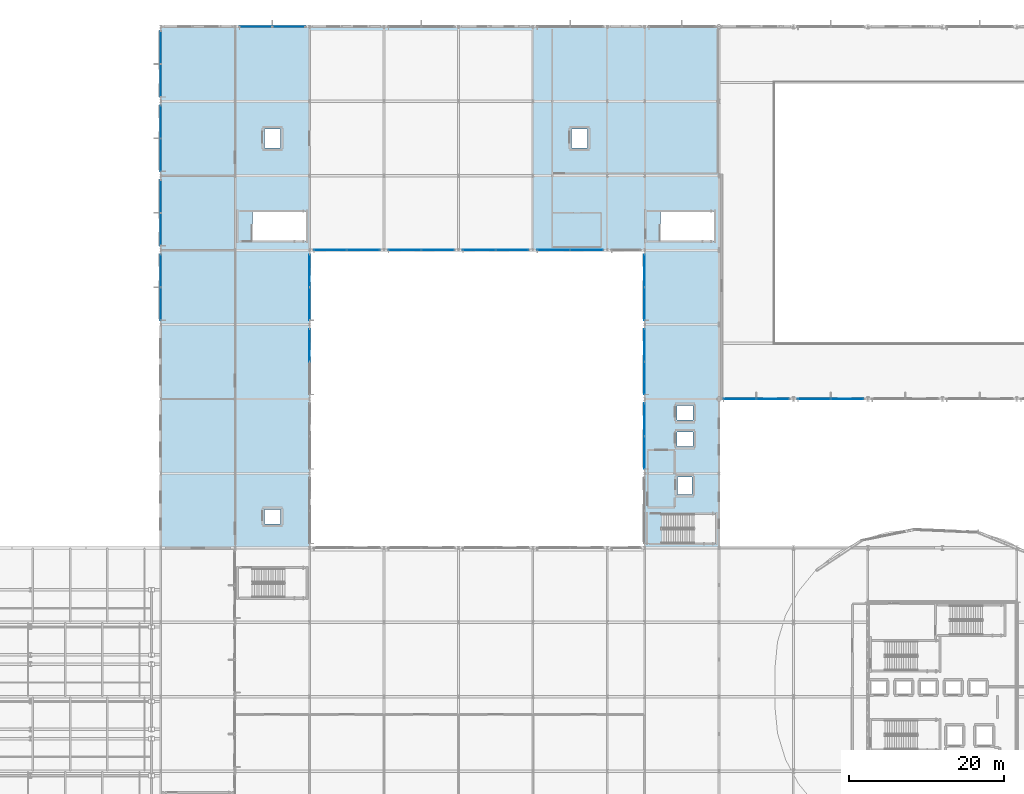
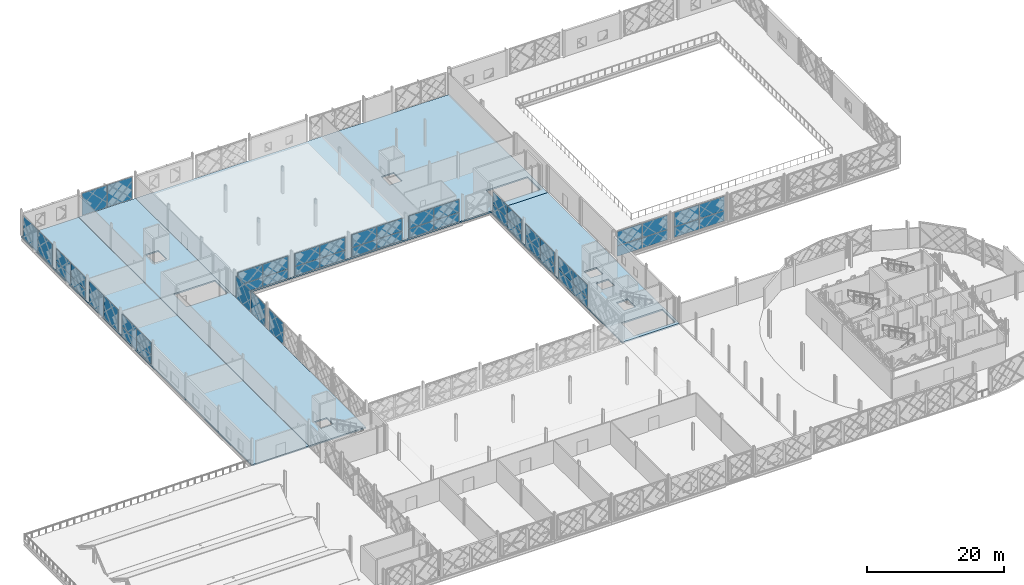
# One storey, part 42 of 77: 53 plates, 4 slabs, 16 elements without a shape of their own.
"""IFC4 building model written with IfcOpenShell, lengths in metres."""

from ifc_helpers import new_model, si_unit, direction, frame, origin, origin_2d, place, context, subcontext, project, spatial, polyline, rectangle, outline, extrude, material, layer, layer_set, type_object, element, aggregate, save


model = new_model("IFC4")

# Units and contexts
model_context = context("Model", 3, precision=1e-05, world=origin(), true_north=direction((0.0, 1.0)))
body_context = subcontext(model_context, "Body", "Model", "MODEL_VIEW")
ifc_project = project(units=[si_unit("LENGTHUNIT", "METRE"), si_unit("AREAUNIT", "SQUARE_METRE"), si_unit("VOLUMEUNIT", "CUBIC_METRE"), si_unit("PLANEANGLEUNIT", "RADIAN"), si_unit("MASSUNIT", "GRAM", prefix="KILO")], contexts=[model_context])

# Site, building, storey
site_placement = place(None, origin())
site = spatial("IfcSite", under=ifc_project, at=site_placement, CompositionType="ELEMENT")
building_placement = place(site_placement, origin())
building = spatial("IfcBuilding", under=site, at=building_placement, Name="Zevrakil Square Congress Hotel", CompositionType="ELEMENT")
storey_placement = place(building_placement, frame((0.0, 0.0, 9.89990234375)))
storey = spatial("IfcBuildingStorey", under=building, at=storey_placement, Name="L03", CompositionType="ELEMENT", Elevation=9.89990234375)

# Curtain wall, plates
ifc_material_1 = material(Name="Aluminium Anodised Bronze", Category="aluminium")
ifc_layer_1 = layer(ifc_material_1, 0.179931640625)
ifc_layer_set_1 = layer_set([ifc_layer_1], Name="Aluminium Anodised Bronze")
curtain_wall_type = type_object("IfcCurtainWallType", Name="CW-L03-840", PredefinedType="USERDEFINED", material=ifc_layer_set_1)
curtain_wall_1_placement = place(storey_placement, origin())
curtain_wall_1 = element("IfcCurtainWall", 1, at=curtain_wall_1_placement, inside=storey, type_object=curtain_wall_type, Name="L03 diamond curtain wall CW-L03-0028", ObjectType="GLAZED CURTAIN WALL", PredefinedType="USERDEFINED")
ifc_material_2 = material(Name="Low-E Solar Control Double Glazing", Category="glass")
ifc_layer_2 = layer(ifc_material_2, 0.028076171875)
ifc_layer_set_2 = layer_set([ifc_layer_2], Name="Low-E Solar Control Double Glazing")
plate_type_1 = type_object("IfcPlateType", Name="CWP-GLAZ-28", PredefinedType="CURTAIN_PANEL", material=ifc_layer_set_2)
plate_1_placement = place(storey_placement, frame((45.60009765625, 77.074951171875, 1.720703125), z_axis=(0.0, 0.0, 1.0), x_axis=(0.0, 1.0, 0.0)))
plate_1 = element("IfcPlate", 2, at=plate_1_placement, type_object=plate_type_1, Name="CW-35 panel 1.2", PredefinedType="CURTAIN_PANEL", context=body_context, shape_type="SweptSolid", body=[
    extrude(rectangle(XDim=4.18994140625, YDim=0.028076171875, at=origin_2d()), origin(), (0.0, 0.0, 1.0), 2.244384765625),
])
plate_2_placement = place(storey_placement, frame((45.60009765625, 81.324951171875, 1.720703125), z_axis=(0.0, 0.0, 1.0), x_axis=(0.0, 1.0, 0.0)))
plate_2 = element("IfcPlate", 3, at=plate_2_placement, type_object=plate_type_1, Name="CW-35 panel 2.2", PredefinedType="CURTAIN_PANEL", context=body_context, shape_type="SweptSolid", body=[
    extrude(rectangle(XDim=4.18994140625, YDim=0.028076171875, at=origin_2d()), origin(), (0.0, 0.0, 1.0), 2.244384765625),
])

# Curtain wall, plate
curtain_wall_2_placement = place(storey_placement, origin())
curtain_wall_2 = element("IfcCurtainWall", 4, at=curtain_wall_2_placement, inside=storey, type_object=curtain_wall_type, Name="L03 diamond curtain wall CW-L03-0029", ObjectType="GLAZED CURTAIN WALL", PredefinedType="USERDEFINED")
plate_3_placement = place(storey_placement, frame((45.60009765625, 86.675048828125, 0.06005859375), z_axis=(0.0, 0.0, 1.0), x_axis=(0.0, 1.0, 0.0)))
plate_3 = element("IfcPlate", 5, at=plate_3_placement, type_object=plate_type_1, Name="CW-35 panel 1.1", PredefinedType="CURTAIN_PANEL", context=body_context, shape_type="SweptSolid", body=[
    extrude(rectangle(XDim=4.18994140625, YDim=0.028076171875, at=origin_2d()), origin(), (0.0, 0.0, 1.0), 3.905029296875),
])

curtain_wall_3_placement = place(storey_placement, origin())
curtain_wall_3 = element("IfcCurtainWall", 6, at=curtain_wall_3_placement, inside=storey, type_object=curtain_wall_type, Name="L03 diamond curtain wall CW-L03-0030", ObjectType="GLAZED CURTAIN WALL", PredefinedType="USERDEFINED")
plate_4_placement = place(storey_placement, frame((45.60009765625, 96.27490234375, 1.720703125), z_axis=(0.0, 0.0, 1.0), x_axis=(0.0, 1.0, 0.0)))
plate_4 = element("IfcPlate", 7, at=plate_4_placement, type_object=plate_type_1, Name="CW-35 panel 1.2", PredefinedType="CURTAIN_PANEL", context=body_context, shape_type="SweptSolid", body=[
    extrude(rectangle(XDim=4.18994140625, YDim=0.028076171875, at=origin_2d()), origin(), (0.0, 0.0, 1.0), 2.244384765625),
])

curtain_wall_4_placement = place(storey_placement, origin())
curtain_wall_4 = element("IfcCurtainWall", 8, at=curtain_wall_4_placement, inside=storey, type_object=curtain_wall_type, Name="L03 diamond curtain wall CW-L03-0031", ObjectType="GLAZED CURTAIN WALL", PredefinedType="USERDEFINED")
plate_5_placement = place(storey_placement, frame((45.60009765625, 105.875, 0.06005859375), z_axis=(0.0, 0.0, 1.0), x_axis=(0.0, 1.0, 0.0)))
plate_5 = element("IfcPlate", 9, at=plate_5_placement, type_object=plate_type_1, Name="CW-35 panel 1.1", PredefinedType="CURTAIN_PANEL", context=body_context, shape_type="SweptSolid", body=[
    extrude(rectangle(XDim=4.18994140625, YDim=0.028076171875, at=origin_2d()), origin(), (0.0, 0.0, 1.0), 3.905029296875),
])

# Curtain wall, plates
curtain_wall_5_placement = place(storey_placement, origin())
curtain_wall_5 = element("IfcCurtainWall", 10, at=curtain_wall_5_placement, inside=storey, type_object=curtain_wall_type, Name="L03 diamond curtain wall CW-L03-0058", ObjectType="GLAZED CURTAIN WALL", PredefinedType="USERDEFINED")
plate_6_placement = place(storey_placement, frame((120.27490234375, 64.800048828125, 1.93701171875), z_axis=(0.0, 0.0, 1.0), x_axis=(1.0, 0.0, 0.0)))
plate_6 = element("IfcPlate", 11, at=plate_6_placement, type_object=plate_type_1, Name="CW-35 panel 1.2", PredefinedType="CURTAIN_PANEL", context=body_context, shape_type="SweptSolid", body=[
    extrude(rectangle(XDim=4.18994140625, YDim=0.028076171875, at=origin_2d()), origin(), (0.0, 0.0, 1.0), 2.543212890625),
])
plate_7_placement = place(storey_placement, frame((124.52490234375, 64.800048828125, 1.93701171875), z_axis=(0.0, 0.0, 1.0), x_axis=(1.0, 0.0, 0.0)))
plate_7 = element("IfcPlate", 12, at=plate_7_placement, type_object=plate_type_1, Name="CW-35 panel 2.2", PredefinedType="CURTAIN_PANEL", context=body_context, shape_type="SweptSolid", body=[
    extrude(rectangle(XDim=4.18994140625, YDim=0.028076171875, at=origin_2d()), origin(), (0.0, 0.0, 1.0), 2.543212890625),
])

# Curtain wall, plate
curtain_wall_6_placement = place(storey_placement, origin())
curtain_wall_6 = element("IfcCurtainWall", 13, at=curtain_wall_6_placement, inside=storey, type_object=curtain_wall_type, Name="L03 diamond curtain wall CW-L03-0060", ObjectType="GLAZED CURTAIN WALL", PredefinedType="USERDEFINED")
plate_8_placement = place(storey_placement, frame((129.875, 64.800048828125, 1.93701171875), z_axis=(0.0, 0.0, 1.0), x_axis=(1.0, 0.0, 0.0)))
plate_8 = element("IfcPlate", 14, at=plate_8_placement, type_object=plate_type_1, Name="CW-35 panel 1.2", PredefinedType="CURTAIN_PANEL", context=body_context, shape_type="SweptSolid", body=[
    extrude(rectangle(XDim=4.18994140625, YDim=0.028076171875, at=origin_2d()), origin(), (0.0, 0.0, 1.0), 2.543212890625),
])

curtain_wall_7_placement = place(storey_placement, origin())
curtain_wall_7 = element("IfcCurtainWall", 15, at=curtain_wall_7_placement, inside=storey, type_object=curtain_wall_type, Name="L03 diamond curtain wall CW-L03-0102", ObjectType="GLAZED CURTAIN WALL", PredefinedType="USERDEFINED")
plate_9_placement = place(storey_placement, frame((71.72509765625, 84.0, 0.06005859375), z_axis=(0.0, 0.0, 1.0), x_axis=(1.0, 0.0, 0.0)))
plate_9 = element("IfcPlate", 16, at=plate_9_placement, type_object=plate_type_1, Name="CW-35 panel 2.1", PredefinedType="CURTAIN_PANEL", context=body_context, shape_type="SweptSolid", body=[
    extrude(rectangle(XDim=4.18994140625, YDim=0.028076171875, at=origin_2d()), origin(), (0.0, 0.0, 1.0), 1.625732421875),
])

# Curtain wall, plates
curtain_wall_8_placement = place(storey_placement, origin())
curtain_wall_8 = element("IfcCurtainWall", 17, at=curtain_wall_8_placement, inside=storey, type_object=curtain_wall_type, Name="L03 diamond curtain wall CW-L03-0106", ObjectType="GLAZED CURTAIN WALL", PredefinedType="USERDEFINED")
plate_10_placement = place(storey_placement, frame((77.074951171875, 84.0, 0.06005859375), z_axis=(0.0, 0.0, 1.0), x_axis=(1.0, 0.0, 0.0)))
plate_10 = element("IfcPlate", 18, at=plate_10_placement, type_object=plate_type_1, Name="CW-35 panel 1.1", PredefinedType="CURTAIN_PANEL", context=body_context, shape_type="SweptSolid", body=[
    extrude(rectangle(XDim=4.18994140625, YDim=0.028076171875, at=origin_2d()), origin(), (0.0, 0.0, 1.0), 1.625732421875),
])
plate_11_placement = place(storey_placement, frame((81.324951171875, 84.0, 1.745849609375), z_axis=(0.0, 0.0, 1.0), x_axis=(1.0, 0.0, 0.0)))
plate_11 = element("IfcPlate", 19, at=plate_11_placement, type_object=plate_type_1, Name="CW-35 panel 2.2", PredefinedType="CURTAIN_PANEL", context=body_context, shape_type="SweptSolid", body=[
    extrude(rectangle(XDim=4.18994140625, YDim=0.028076171875, at=origin_2d()), origin(), (0.0, 0.0, 1.0), 2.279296875),
])

# Curtain wall, plate
curtain_wall_9_placement = place(storey_placement, origin())
curtain_wall_9 = element("IfcCurtainWall", 20, at=curtain_wall_9_placement, inside=storey, type_object=curtain_wall_type, Name="L03 diamond curtain wall CW-L03-0110", ObjectType="GLAZED CURTAIN WALL", PredefinedType="USERDEFINED")
plate_12_placement = place(storey_placement, frame((86.675048828125, 84.0, 1.745849609375), z_axis=(0.0, 0.0, 1.0), x_axis=(1.0, 0.0, 0.0)))
plate_12 = element("IfcPlate", 21, at=plate_12_placement, type_object=plate_type_1, Name="CW-35 panel 1.2", PredefinedType="CURTAIN_PANEL", context=body_context, shape_type="SweptSolid", body=[
    extrude(rectangle(XDim=4.18994140625, YDim=0.028076171875, at=origin_2d()), origin(), (0.0, 0.0, 1.0), 2.279296875),
])

# Curtain wall, plates
curtain_wall_10_placement = place(storey_placement, origin())
curtain_wall_10 = element("IfcCurtainWall", 22, at=curtain_wall_10_placement, inside=storey, type_object=curtain_wall_type, Name="L03 diamond curtain wall CW-L03-0114", ObjectType="GLAZED CURTAIN WALL", PredefinedType="USERDEFINED")
plate_13_placement = place(storey_placement, frame((96.27490234375, 84.0, 0.06005859375), z_axis=(0.0, 0.0, 1.0), x_axis=(1.0, 0.0, 0.0)))
plate_13 = element("IfcPlate", 23, at=plate_13_placement, type_object=plate_type_1, Name="CW-35 panel 1.1", PredefinedType="CURTAIN_PANEL", context=body_context, shape_type="SweptSolid", body=[
    extrude(rectangle(XDim=4.18994140625, YDim=0.028076171875, at=origin_2d()), origin(), (0.0, 0.0, 1.0), 1.625732421875),
])
plate_14_placement = place(storey_placement, frame((100.52490234375, 84.0, 0.06005859375), z_axis=(0.0, 0.0, 1.0), x_axis=(1.0, 0.0, 0.0)))
plate_14 = element("IfcPlate", 24, at=plate_14_placement, type_object=plate_type_1, Name="CW-35 panel 2.1", PredefinedType="CURTAIN_PANEL", context=body_context, shape_type="SweptSolid", body=[
    extrude(rectangle(XDim=4.18994140625, YDim=0.028076171875, at=origin_2d()), origin(), (0.0, 0.0, 1.0), 1.625732421875),
])

# Curtain wall, plate
curtain_wall_11_placement = place(storey_placement, origin())
curtain_wall_11 = element("IfcCurtainWall", 25, at=curtain_wall_11_placement, inside=storey, type_object=curtain_wall_type, Name="L03 diamond curtain wall CW-L03-0130", ObjectType="GLAZED CURTAIN WALL", PredefinedType="USERDEFINED")
plate_15_placement = place(storey_placement, frame((108.0, 57.875, 1.720703125), z_axis=(0.0, 0.0, 1.0), x_axis=(0.0, 1.0, 0.0)))
plate_15 = element("IfcPlate", 26, at=plate_15_placement, type_object=plate_type_1, Name="CW-35 panel 1.2", PredefinedType="CURTAIN_PANEL", context=body_context, shape_type="SweptSolid", body=[
    extrude(rectangle(XDim=4.18994140625, YDim=0.028076171875, at=origin_2d()), origin(), (0.0, 0.0, 1.0), 2.244384765625),
])

curtain_wall_12_placement = place(storey_placement, origin())
curtain_wall_12 = element("IfcCurtainWall", 27, at=curtain_wall_12_placement, inside=storey, type_object=curtain_wall_type, Name="L03 diamond curtain wall CW-L03-0133", ObjectType="GLAZED CURTAIN WALL", PredefinedType="USERDEFINED")
plate_16_placement = place(storey_placement, frame((64.800048828125, 71.72509765625, 0.06005859375), z_axis=(0.0, 0.0, 1.0), x_axis=(0.0, 1.0, 0.0)))
plate_16 = element("IfcPlate", 28, at=plate_16_placement, type_object=plate_type_1, Name="CW-35 panel 2.1", PredefinedType="CURTAIN_PANEL", context=body_context, shape_type="SweptSolid", body=[
    extrude(rectangle(XDim=4.18994140625, YDim=0.028076171875, at=origin_2d()), origin(), (0.0, 0.0, 1.0), 3.905029296875),
])
aggregate(curtain_wall_12, [plate_16])

# Curtain wall, plates
curtain_wall_13_placement = place(storey_placement, origin())
curtain_wall_13 = element("IfcCurtainWall", 29, at=curtain_wall_13_placement, inside=storey, type_object=curtain_wall_type, Name="L03 diamond curtain wall CW-L03-0136", ObjectType="GLAZED CURTAIN WALL", PredefinedType="USERDEFINED")
plate_17_placement = place(storey_placement, frame((108.0, 67.47509765625, 0.06005859375), z_axis=(0.0, 0.0, 1.0), x_axis=(0.0, 1.0, 0.0)))
plate_17 = element("IfcPlate", 30, at=plate_17_placement, type_object=plate_type_1, Name="CW-35 panel 1.1", PredefinedType="CURTAIN_PANEL", context=body_context, shape_type="SweptSolid", body=[
    extrude(rectangle(XDim=4.18994140625, YDim=0.028076171875, at=origin_2d()), origin(), (0.0, 0.0, 1.0), 1.6005859375),
])
plate_18_placement = place(storey_placement, frame((108.0, 71.72509765625, 1.720703125), z_axis=(0.0, 0.0, 1.0), x_axis=(0.0, 1.0, 0.0)))
plate_18 = element("IfcPlate", 31, at=plate_18_placement, type_object=plate_type_1, Name="CW-35 panel 2.2", PredefinedType="CURTAIN_PANEL", context=body_context, shape_type="SweptSolid", body=[
    extrude(rectangle(XDim=4.18994140625, YDim=0.028076171875, at=origin_2d()), origin(), (0.0, 0.0, 1.0), 2.244384765625),
])

# Curtain wall, plate
curtain_wall_14_placement = place(storey_placement, origin())
curtain_wall_14 = element("IfcCurtainWall", 32, at=curtain_wall_14_placement, inside=storey, type_object=curtain_wall_type, Name="L03 diamond curtain wall CW-L03-0139", ObjectType="GLAZED CURTAIN WALL", PredefinedType="USERDEFINED")
plate_19_placement = place(storey_placement, frame((64.800048828125, 77.074951171875, 0.06005859375), z_axis=(0.0, 0.0, 1.0), x_axis=(0.0, 1.0, 0.0)))
plate_19 = element("IfcPlate", 33, at=plate_19_placement, type_object=plate_type_1, Name="CW-35 panel 1.1", PredefinedType="CURTAIN_PANEL", context=body_context, shape_type="SweptSolid", body=[
    extrude(rectangle(XDim=4.18994140625, YDim=0.028076171875, at=origin_2d()), origin(), (0.0, 0.0, 1.0), 3.905029296875),
])

curtain_wall_15_placement = place(storey_placement, origin())
curtain_wall_15 = element("IfcCurtainWall", 34, at=curtain_wall_15_placement, inside=storey, type_object=curtain_wall_type, Name="L03 diamond curtain wall CW-L03-0142", ObjectType="GLAZED CURTAIN WALL", PredefinedType="USERDEFINED")
plate_20_placement = place(storey_placement, frame((108.0, 81.324951171875, 0.06005859375), z_axis=(0.0, 0.0, 1.0), x_axis=(0.0, 1.0, 0.0)))
plate_20 = element("IfcPlate", 35, at=plate_20_placement, type_object=plate_type_1, Name="CW-35 panel 2.1", PredefinedType="CURTAIN_PANEL", context=body_context, shape_type="SweptSolid", body=[
    extrude(rectangle(XDim=4.18994140625, YDim=0.028076171875, at=origin_2d()), origin(), (0.0, 0.0, 1.0), 1.6005859375),
])

# Plate
ifc_material_3 = material(Name="Basalt Grey Ribbed GRC Panel", Category="masonry")
ifc_layer_3 = layer(ifc_material_3, 0.0439453125)
ifc_layer_set_3 = layer_set([ifc_layer_3], Name="Basalt Grey Ribbed GRC Panel")
plate_type_2 = type_object("IfcPlateType", Name="CWP-GRCG-44", PredefinedType="CURTAIN_PANEL", material=ifc_layer_set_3)
plate_21_placement = place(storey_placement, frame((45.60009765625, 77.074951171875, 0.06005859375), z_axis=(0.0, 0.0, 1.0), x_axis=(0.0, 1.0, 0.0)))
plate_21 = element("IfcPlate", 36, at=plate_21_placement, type_object=plate_type_2, Name="CW-35 panel 1.1", PredefinedType="CURTAIN_PANEL", context=body_context, shape_type="SweptSolid", body=[
    extrude(rectangle(XDim=4.18994140625, YDim=0.028076171875, at=origin_2d()), origin(), (0.0, 0.0, 1.0), 1.6005859375),
])

plate_22_placement = place(storey_placement, frame((45.60009765625, 100.52490234375, 1.720703125), z_axis=(0.0, 0.0, 1.0), x_axis=(0.0, 1.0, 0.0)))
plate_22 = element("IfcPlate", 37, at=plate_22_placement, type_object=plate_type_2, Name="CW-35 panel 2.2", PredefinedType="CURTAIN_PANEL", context=body_context, shape_type="SweptSolid", body=[
    extrude(rectangle(XDim=4.18994140625, YDim=0.028076171875, at=origin_2d()), origin(), (0.0, 0.0, 1.0), 2.244384765625),
])

# Curtain wall, plate
curtain_wall_16_placement = place(storey_placement, origin())
curtain_wall_16 = element("IfcCurtainWall", 38, at=curtain_wall_16_placement, inside=storey, type_object=curtain_wall_type, Name="L03 diamond curtain wall CW-L03-0037", ObjectType="GLAZED CURTAIN WALL", PredefinedType="USERDEFINED")
plate_23_placement = place(storey_placement, frame((62.125, 112.800048828125, 0.06005859375), z_axis=(0.0, 0.0, 1.0), x_axis=(1.0, 0.0, 0.0)))
plate_23 = element("IfcPlate", 39, at=plate_23_placement, type_object=plate_type_2, Name="CW-35 panel 2.1", PredefinedType="CURTAIN_PANEL", context=body_context, shape_type="SweptSolid", body=[
    extrude(rectangle(XDim=4.18994140625, YDim=0.028076171875, at=origin_2d()), origin(), (0.0, 0.0, 1.0), 3.965087890625),
])

# Plate
plate_24_placement = place(storey_placement, frame((120.27490234375, 64.800048828125, 0.06005859375), z_axis=(0.0, 0.0, 1.0), x_axis=(1.0, 0.0, 0.0)))
plate_24 = element("IfcPlate", 40, at=plate_24_placement, type_object=plate_type_2, Name="CW-35 panel 1.1", PredefinedType="CURTAIN_PANEL", context=body_context, shape_type="SweptSolid", body=[
    extrude(rectangle(XDim=4.18994140625, YDim=0.028076171875, at=origin_2d()), origin(), (0.0, 0.0, 1.0), 1.81689453125),
])

plate_25_placement = place(storey_placement, frame((134.125, 64.800048828125, 1.93701171875), z_axis=(0.0, 0.0, 1.0), x_axis=(1.0, 0.0, 0.0)))
plate_25 = element("IfcPlate", 41, at=plate_25_placement, type_object=plate_type_2, Name="CW-35 panel 2.2", PredefinedType="CURTAIN_PANEL", context=body_context, shape_type="SweptSolid", body=[
    extrude(rectangle(XDim=4.18994140625, YDim=0.028076171875, at=origin_2d()), origin(), (0.0, 0.0, 1.0), 2.543212890625),
])

plate_26_placement = place(storey_placement, frame((67.47509765625, 84.0, 1.745849609375), z_axis=(0.0, 0.0, 1.0), x_axis=(1.0, 0.0, 0.0)))
plate_26 = element("IfcPlate", 42, at=plate_26_placement, type_object=plate_type_2, Name="CW-35 panel 1.2", PredefinedType="CURTAIN_PANEL", context=body_context, shape_type="SweptSolid", body=[
    extrude(rectangle(XDim=4.18994140625, YDim=0.028076171875, at=origin_2d()), origin(), (0.0, 0.0, 1.0), 2.279296875),
])

plate_27_placement = place(storey_placement, frame((81.324951171875, 84.0, 0.06005859375), z_axis=(0.0, 0.0, 1.0), x_axis=(1.0, 0.0, 0.0)))
plate_27 = element("IfcPlate", 43, at=plate_27_placement, type_object=plate_type_2, Name="CW-35 panel 2.1", PredefinedType="CURTAIN_PANEL", context=body_context, shape_type="SweptSolid", body=[
    extrude(rectangle(XDim=4.18994140625, YDim=0.028076171875, at=origin_2d()), origin(), (0.0, 0.0, 1.0), 1.625732421875),
])

plate_28_placement = place(storey_placement, frame((90.925048828125, 84.0, 1.745849609375), z_axis=(0.0, 0.0, 1.0), x_axis=(1.0, 0.0, 0.0)))
plate_28 = element("IfcPlate", 44, at=plate_28_placement, type_object=plate_type_2, Name="CW-35 panel 2.2", PredefinedType="CURTAIN_PANEL", context=body_context, shape_type="SweptSolid", body=[
    extrude(rectangle(XDim=4.18994140625, YDim=0.028076171875, at=origin_2d()), origin(), (0.0, 0.0, 1.0), 2.279296875),
])

plate_29_placement = place(storey_placement, frame((108.0, 62.125, 1.720703125), z_axis=(0.0, 0.0, 1.0), x_axis=(0.0, 1.0, 0.0)))
plate_29 = element("IfcPlate", 45, at=plate_29_placement, type_object=plate_type_2, Name="CW-35 panel 2.2", PredefinedType="CURTAIN_PANEL", context=body_context, shape_type="SweptSolid", body=[
    extrude(rectangle(XDim=4.18994140625, YDim=0.028076171875, at=origin_2d()), origin(), (0.0, 0.0, 1.0), 2.244384765625),
])

plate_30_placement = place(storey_placement, frame((108.0, 71.72509765625, 0.06005859375), z_axis=(0.0, 0.0, 1.0), x_axis=(0.0, 1.0, 0.0)))
plate_30 = element("IfcPlate", 46, at=plate_30_placement, type_object=plate_type_2, Name="CW-35 panel 2.1", PredefinedType="CURTAIN_PANEL", context=body_context, shape_type="SweptSolid", body=[
    extrude(rectangle(XDim=4.18994140625, YDim=0.028076171875, at=origin_2d()), origin(), (0.0, 0.0, 1.0), 1.6005859375),
])

plate_31_placement = place(storey_placement, frame((108.0, 77.074951171875, 1.720703125), z_axis=(0.0, 0.0, 1.0), x_axis=(0.0, 1.0, 0.0)))
plate_31 = element("IfcPlate", 47, at=plate_31_placement, type_object=plate_type_2, Name="CW-35 panel 1.2", PredefinedType="CURTAIN_PANEL", context=body_context, shape_type="SweptSolid", body=[
    extrude(rectangle(XDim=4.18994140625, YDim=0.028076171875, at=origin_2d()), origin(), (0.0, 0.0, 1.0), 2.244384765625),
])

ifc_material_4 = material(Name="White Ribbed Highland GRC Panel", Category="concrete")
ifc_layer_4 = layer(ifc_material_4, 0.0400390625)
ifc_layer_set_4 = layer_set([ifc_layer_4], Name="White Ribbed Highland GRC Panel")
plate_type_3 = type_object("IfcPlateType", Name="CWP-GRCW-40", PredefinedType="CURTAIN_PANEL", material=ifc_layer_set_4)
plate_32_placement = place(storey_placement, frame((45.60009765625, 81.324951171875, 0.06005859375), z_axis=(0.0, 0.0, 1.0), x_axis=(0.0, 1.0, 0.0)))
plate_32 = element("IfcPlate", 48, at=plate_32_placement, type_object=plate_type_3, Name="CW-35 panel 2.1", PredefinedType="CURTAIN_PANEL", context=body_context, shape_type="SweptSolid", body=[
    extrude(rectangle(XDim=4.18994140625, YDim=0.028076171875, at=origin_2d()), origin(), (0.0, 0.0, 1.0), 1.6005859375),
])

aggregate(curtain_wall_1, [plate_21, plate_1, plate_32, plate_2])

plate_33_placement = place(storey_placement, frame((45.60009765625, 90.925048828125, 0.06005859375), z_axis=(0.0, 0.0, 1.0), x_axis=(0.0, 1.0, 0.0)))
plate_33 = element("IfcPlate", 49, at=plate_33_placement, type_object=plate_type_3, Name="CW-35 panel 2.1", PredefinedType="CURTAIN_PANEL", context=body_context, shape_type="SweptSolid", body=[
    extrude(rectangle(XDim=4.18994140625, YDim=0.028076171875, at=origin_2d()), origin(), (0.0, 0.0, 1.0), 3.905029296875),
])

aggregate(curtain_wall_2, [plate_3, plate_33])

plate_34_placement = place(storey_placement, frame((45.60009765625, 96.27490234375, 0.06005859375), z_axis=(0.0, 0.0, 1.0), x_axis=(0.0, 1.0, 0.0)))
plate_34 = element("IfcPlate", 50, at=plate_34_placement, type_object=plate_type_3, Name="CW-35 panel 1.1", PredefinedType="CURTAIN_PANEL", context=body_context, shape_type="SweptSolid", body=[
    extrude(rectangle(XDim=4.18994140625, YDim=0.028076171875, at=origin_2d()), origin(), (0.0, 0.0, 1.0), 1.6005859375),
])

plate_35_placement = place(storey_placement, frame((45.60009765625, 100.52490234375, 0.06005859375), z_axis=(0.0, 0.0, 1.0), x_axis=(0.0, 1.0, 0.0)))
plate_35 = element("IfcPlate", 51, at=plate_35_placement, type_object=plate_type_3, Name="CW-35 panel 2.1", PredefinedType="CURTAIN_PANEL", context=body_context, shape_type="SweptSolid", body=[
    extrude(rectangle(XDim=4.18994140625, YDim=0.028076171875, at=origin_2d()), origin(), (0.0, 0.0, 1.0), 1.6005859375),
])

aggregate(curtain_wall_3, [plate_34, plate_4, plate_35, plate_22])

plate_36_placement = place(storey_placement, frame((45.60009765625, 110.125, 0.06005859375), z_axis=(0.0, 0.0, 1.0), x_axis=(0.0, 1.0, 0.0)))
plate_36 = element("IfcPlate", 52, at=plate_36_placement, type_object=plate_type_3, Name="CW-35 panel 2.1", PredefinedType="CURTAIN_PANEL", context=body_context, shape_type="SweptSolid", body=[
    extrude(rectangle(XDim=4.18994140625, YDim=0.028076171875, at=origin_2d()), origin(), (0.0, 0.0, 1.0), 3.905029296875),
])

aggregate(curtain_wall_4, [plate_5, plate_36])

plate_37_placement = place(storey_placement, frame((57.875, 112.800048828125, 0.06005859375), z_axis=(0.0, 0.0, 1.0), x_axis=(1.0, 0.0, 0.0)))
plate_37 = element("IfcPlate", 53, at=plate_37_placement, type_object=plate_type_3, Name="CW-35 panel 1.1", PredefinedType="CURTAIN_PANEL", context=body_context, shape_type="SweptSolid", body=[
    extrude(rectangle(XDim=4.18994140625, YDim=0.028076171875, at=origin_2d()), origin(), (0.0, 0.0, 1.0), 3.965087890625),
])

aggregate(curtain_wall_16, [plate_37, plate_23])

plate_38_placement = place(storey_placement, frame((124.52490234375, 64.800048828125, 0.06005859375), z_axis=(0.0, 0.0, 1.0), x_axis=(1.0, 0.0, 0.0)))
plate_38 = element("IfcPlate", 54, at=plate_38_placement, type_object=plate_type_3, Name="CW-35 panel 2.1", PredefinedType="CURTAIN_PANEL", context=body_context, shape_type="SweptSolid", body=[
    extrude(rectangle(XDim=4.18994140625, YDim=0.028076171875, at=origin_2d()), origin(), (0.0, 0.0, 1.0), 1.81689453125),
])

aggregate(curtain_wall_5, [plate_24, plate_6, plate_38, plate_7])

plate_39_placement = place(storey_placement, frame((129.875, 64.800048828125, 0.06005859375), z_axis=(0.0, 0.0, 1.0), x_axis=(1.0, 0.0, 0.0)))
plate_39 = element("IfcPlate", 55, at=plate_39_placement, type_object=plate_type_3, Name="CW-35 panel 1.1", PredefinedType="CURTAIN_PANEL", context=body_context, shape_type="SweptSolid", body=[
    extrude(rectangle(XDim=4.18994140625, YDim=0.028076171875, at=origin_2d()), origin(), (0.0, 0.0, 1.0), 1.81689453125),
])

plate_40_placement = place(storey_placement, frame((134.125, 64.800048828125, 0.06005859375), z_axis=(0.0, 0.0, 1.0), x_axis=(1.0, 0.0, 0.0)))
plate_40 = element("IfcPlate", 56, at=plate_40_placement, type_object=plate_type_3, Name="CW-35 panel 2.1", PredefinedType="CURTAIN_PANEL", context=body_context, shape_type="SweptSolid", body=[
    extrude(rectangle(XDim=4.18994140625, YDim=0.028076171875, at=origin_2d()), origin(), (0.0, 0.0, 1.0), 1.81689453125),
])

aggregate(curtain_wall_6, [plate_39, plate_8, plate_40, plate_25])

plate_41_placement = place(storey_placement, frame((67.47509765625, 84.0, 0.06005859375), z_axis=(0.0, 0.0, 1.0), x_axis=(1.0, 0.0, 0.0)))
plate_41 = element("IfcPlate", 57, at=plate_41_placement, type_object=plate_type_3, Name="CW-35 panel 1.1", PredefinedType="CURTAIN_PANEL", context=body_context, shape_type="SweptSolid", body=[
    extrude(rectangle(XDim=4.18994140625, YDim=0.028076171875, at=origin_2d()), origin(), (0.0, 0.0, 1.0), 1.625732421875),
])

plate_42_placement = place(storey_placement, frame((71.72509765625, 84.0, 1.745849609375), z_axis=(0.0, 0.0, 1.0), x_axis=(1.0, 0.0, 0.0)))
plate_42 = element("IfcPlate", 58, at=plate_42_placement, type_object=plate_type_3, Name="CW-35 panel 2.2", PredefinedType="CURTAIN_PANEL", context=body_context, shape_type="SweptSolid", body=[
    extrude(rectangle(XDim=4.18994140625, YDim=0.028076171875, at=origin_2d()), origin(), (0.0, 0.0, 1.0), 2.279296875),
])

aggregate(curtain_wall_7, [plate_41, plate_26, plate_9, plate_42])

plate_43_placement = place(storey_placement, frame((77.074951171875, 84.0, 1.745849609375), z_axis=(0.0, 0.0, 1.0), x_axis=(1.0, 0.0, 0.0)))
plate_43 = element("IfcPlate", 59, at=plate_43_placement, type_object=plate_type_3, Name="CW-35 panel 1.2", PredefinedType="CURTAIN_PANEL", context=body_context, shape_type="SweptSolid", body=[
    extrude(rectangle(XDim=4.18994140625, YDim=0.028076171875, at=origin_2d()), origin(), (0.0, 0.0, 1.0), 2.279296875),
])

aggregate(curtain_wall_8, [plate_10, plate_43, plate_27, plate_11])

plate_44_placement = place(storey_placement, frame((86.675048828125, 84.0, 0.06005859375), z_axis=(0.0, 0.0, 1.0), x_axis=(1.0, 0.0, 0.0)))
plate_44 = element("IfcPlate", 60, at=plate_44_placement, type_object=plate_type_3, Name="CW-35 panel 1.1", PredefinedType="CURTAIN_PANEL", context=body_context, shape_type="SweptSolid", body=[
    extrude(rectangle(XDim=4.18994140625, YDim=0.028076171875, at=origin_2d()), origin(), (0.0, 0.0, 1.0), 1.625732421875),
])

plate_45_placement = place(storey_placement, frame((90.925048828125, 84.0, 0.06005859375), z_axis=(0.0, 0.0, 1.0), x_axis=(1.0, 0.0, 0.0)))
plate_45 = element("IfcPlate", 61, at=plate_45_placement, type_object=plate_type_3, Name="CW-35 panel 2.1", PredefinedType="CURTAIN_PANEL", context=body_context, shape_type="SweptSolid", body=[
    extrude(rectangle(XDim=4.18994140625, YDim=0.028076171875, at=origin_2d()), origin(), (0.0, 0.0, 1.0), 1.625732421875),
])

aggregate(curtain_wall_9, [plate_44, plate_12, plate_45, plate_28])

plate_46_placement = place(storey_placement, frame((96.27490234375, 84.0, 1.745849609375), z_axis=(0.0, 0.0, 1.0), x_axis=(1.0, 0.0, 0.0)))
plate_46 = element("IfcPlate", 62, at=plate_46_placement, type_object=plate_type_3, Name="CW-35 panel 1.2", PredefinedType="CURTAIN_PANEL", context=body_context, shape_type="SweptSolid", body=[
    extrude(rectangle(XDim=4.18994140625, YDim=0.028076171875, at=origin_2d()), origin(), (0.0, 0.0, 1.0), 2.279296875),
])

plate_47_placement = place(storey_placement, frame((100.52490234375, 84.0, 1.745849609375), z_axis=(0.0, 0.0, 1.0), x_axis=(1.0, 0.0, 0.0)))
plate_47 = element("IfcPlate", 63, at=plate_47_placement, type_object=plate_type_3, Name="CW-35 panel 2.2", PredefinedType="CURTAIN_PANEL", context=body_context, shape_type="SweptSolid", body=[
    extrude(rectangle(XDim=4.18994140625, YDim=0.028076171875, at=origin_2d()), origin(), (0.0, 0.0, 1.0), 2.279296875),
])

aggregate(curtain_wall_10, [plate_13, plate_46, plate_14, plate_47])

plate_48_placement = place(storey_placement, frame((108.0, 57.875, 0.06005859375), z_axis=(0.0, 0.0, 1.0), x_axis=(0.0, 1.0, 0.0)))
plate_48 = element("IfcPlate", 64, at=plate_48_placement, type_object=plate_type_3, Name="CW-35 panel 1.1", PredefinedType="CURTAIN_PANEL", context=body_context, shape_type="SweptSolid", body=[
    extrude(rectangle(XDim=4.18994140625, YDim=0.028076171875, at=origin_2d()), origin(), (0.0, 0.0, 1.0), 1.6005859375),
])

plate_49_placement = place(storey_placement, frame((108.0, 62.125, 0.06005859375), z_axis=(0.0, 0.0, 1.0), x_axis=(0.0, 1.0, 0.0)))
plate_49 = element("IfcPlate", 65, at=plate_49_placement, type_object=plate_type_3, Name="CW-35 panel 2.1", PredefinedType="CURTAIN_PANEL", context=body_context, shape_type="SweptSolid", body=[
    extrude(rectangle(XDim=4.18994140625, YDim=0.028076171875, at=origin_2d()), origin(), (0.0, 0.0, 1.0), 1.6005859375),
])

aggregate(curtain_wall_11, [plate_48, plate_15, plate_49, plate_29])

plate_50_placement = place(storey_placement, frame((108.0, 67.47509765625, 1.720703125), z_axis=(0.0, 0.0, 1.0), x_axis=(0.0, 1.0, 0.0)))
plate_50 = element("IfcPlate", 66, at=plate_50_placement, type_object=plate_type_3, Name="CW-35 panel 1.2", PredefinedType="CURTAIN_PANEL", context=body_context, shape_type="SweptSolid", body=[
    extrude(rectangle(XDim=4.18994140625, YDim=0.028076171875, at=origin_2d()), origin(), (0.0, 0.0, 1.0), 2.244384765625),
])

aggregate(curtain_wall_13, [plate_17, plate_50, plate_30, plate_18])

plate_51_placement = place(storey_placement, frame((64.800048828125, 81.324951171875, 0.06005859375), z_axis=(0.0, 0.0, 1.0), x_axis=(0.0, 1.0, 0.0)))
plate_51 = element("IfcPlate", 67, at=plate_51_placement, type_object=plate_type_3, Name="CW-35 panel 2.1", PredefinedType="CURTAIN_PANEL", context=body_context, shape_type="SweptSolid", body=[
    extrude(rectangle(XDim=4.18994140625, YDim=0.028076171875, at=origin_2d()), origin(), (0.0, 0.0, 1.0), 3.905029296875),
])

aggregate(curtain_wall_14, [plate_19, plate_51])

plate_52_placement = place(storey_placement, frame((108.0, 77.074951171875, 0.06005859375), z_axis=(0.0, 0.0, 1.0), x_axis=(0.0, 1.0, 0.0)))
plate_52 = element("IfcPlate", 68, at=plate_52_placement, type_object=plate_type_3, Name="CW-35 panel 1.1", PredefinedType="CURTAIN_PANEL", context=body_context, shape_type="SweptSolid", body=[
    extrude(rectangle(XDim=4.18994140625, YDim=0.028076171875, at=origin_2d()), origin(), (0.0, 0.0, 1.0), 1.6005859375),
])

plate_53_placement = place(storey_placement, frame((108.0, 81.324951171875, 1.720703125), z_axis=(0.0, 0.0, 1.0), x_axis=(0.0, 1.0, 0.0)))
plate_53 = element("IfcPlate", 69, at=plate_53_placement, type_object=plate_type_3, Name="CW-35 panel 2.2", PredefinedType="CURTAIN_PANEL", context=body_context, shape_type="SweptSolid", body=[
    extrude(rectangle(XDim=4.18994140625, YDim=0.028076171875, at=origin_2d()), origin(), (0.0, 0.0, 1.0), 2.244384765625),
])

aggregate(curtain_wall_15, [plate_52, plate_31, plate_20, plate_53])

# Slabs
ifc_material_5 = material(Name="Concrete C35/45", Category="concrete")
ifc_layer_5 = layer(ifc_material_5, 0.2548828125)
ifc_layer_set_5 = layer_set([ifc_layer_5], Name="Concrete C35/45")
slab_type = type_object("IfcSlabType", Name="SLB-L03-200", PredefinedType="FLOOR", material=ifc_layer_set_5)
slab_1_placement = place(storey_placement, frame((0.0, 0.0, -0.2548828125)))
element("IfcSlab", 70, at=slab_1_placement, inside=storey, type_object=slab_type, Name="L03 wlink diplomatic conference floor slab (W joint block)", PredefinedType="FLOOR", context=body_context, shape_type="SweptSolid", body=[
    extrude(outline(polyline([(45.60009765625, 45.60009765625), (45.60009765625, 112.800048828125), (55.175048828125, 112.800048828125), (55.175048828125, 45.60009765625), (45.60009765625, 45.60009765625)])), origin(), (0.0, 0.0, 1.0), 0.2548828125),
])
slab_2_placement = place(storey_placement, frame((0.0, 0.0, -0.2548828125)))
element("IfcSlab", 71, at=slab_2_placement, inside=storey, type_object=slab_type, Name="L03 wlink diplomatic conference floor slab (M joint block)", PredefinedType="FLOOR", context=body_context, shape_type="SweptSolid", body=[
    extrude(outline(polyline([(64.800048828125, 112.800048828125), (64.800048828125, 45.60009765625), (55.22509765625, 45.60009765625), (55.22509765625, 112.800048828125), (64.800048828125, 112.800048828125)]), holes=[polyline([(57.445068359375, 85.199951171875), (64.39990234375, 85.199951171875), (64.39990234375, 88.949951171875), (57.445068359375, 88.949951171875), (57.445068359375, 85.199951171875)]), polyline([(58.9599609375, 48.659912109375), (61.0400390625, 48.659912109375), (61.0400390625, 50.5400390625), (58.9599609375, 50.5400390625), (58.9599609375, 48.659912109375)]), polyline([(58.9599609375, 97.159912109375), (61.0400390625, 97.159912109375), (61.0400390625, 99.639892578125), (58.9599609375, 99.639892578125), (58.9599609375, 97.159912109375)])]), origin(), (0.0, 0.0, 1.0), 0.2548828125),
])
slab_3_placement = place(storey_placement, frame((0.0, 0.0, -0.2548828125)))
element("IfcSlab", 72, at=slab_3_placement, inside=storey, type_object=slab_type, Name="L03 north diplomatic conference floor slab", PredefinedType="FLOOR", context=body_context, shape_type="SweptSolid", body=[
    extrude(outline(polyline([(64.800048828125, 84.0), (64.800048828125, 112.800048828125), (117.574951171875, 112.800048828125), (117.574951171875, 84.0), (64.800048828125, 84.0)]), holes=[polyline([(110.044921875, 85.199951171875), (117.0, 85.199951171875), (117.0, 88.949951171875), (110.044921875, 88.949951171875), (110.044921875, 85.199951171875)]), polyline([(98.56005859375, 97.159912109375), (100.639892578125, 97.159912109375), (100.639892578125, 99.639892578125), (98.56005859375, 99.639892578125), (98.56005859375, 97.159912109375)])]), origin(), (0.0, 0.0, 1.0), 0.2548828125),
])
slab_4_placement = place(storey_placement, frame((0.0, 0.0, -0.2548828125)))
element("IfcSlab", 73, at=slab_4_placement, inside=storey, type_object=slab_type, Name="L03 espine diplomatic conference floor slab", PredefinedType="FLOOR", context=body_context, shape_type="SweptSolid", body=[
    extrude(outline(polyline([(108.0, 45.60009765625), (108.0, 84.0), (117.574951171875, 84.0), (117.574951171875, 45.60009765625), (108.0, 45.60009765625)]), holes=[polyline([(110.2451171875, 46.199951171875), (117.199951171875, 46.199951171875), (117.199951171875, 49.949951171875), (110.2451171875, 49.949951171875), (110.2451171875, 46.199951171875)]), polyline([(112.260009765625, 52.4599609375), (114.139892578125, 52.4599609375), (114.139892578125, 54.739990234375), (112.260009765625, 54.739990234375), (112.260009765625, 52.4599609375)]), polyline([(112.159912109375, 58.659912109375), (114.239990234375, 58.659912109375), (114.239990234375, 60.5400390625), (112.159912109375, 60.5400390625), (112.159912109375, 58.659912109375)]), polyline([(112.159912109375, 62.06005859375), (114.239990234375, 62.06005859375), (114.239990234375, 63.93994140625), (112.159912109375, 63.93994140625), (112.159912109375, 62.06005859375)])]), origin(), (0.0, 0.0, 1.0), 0.2548828125),
])

save(model, "model.ifc")
